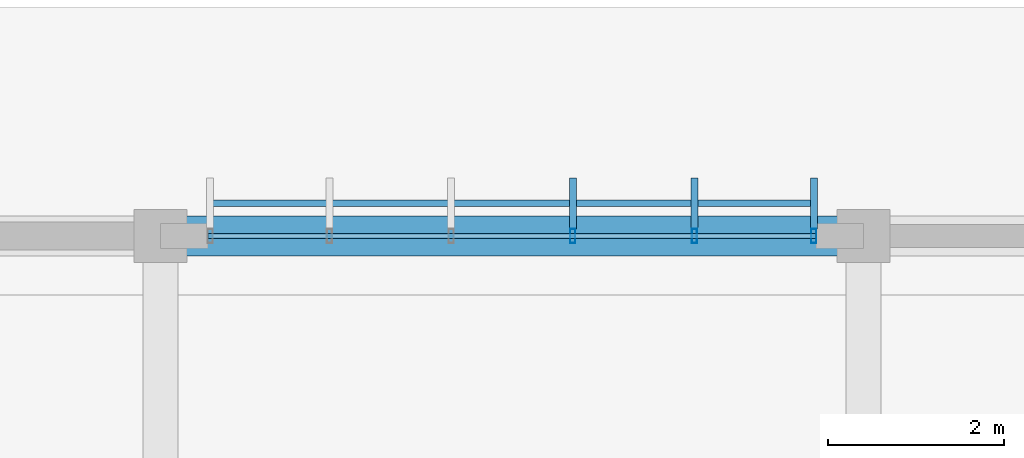
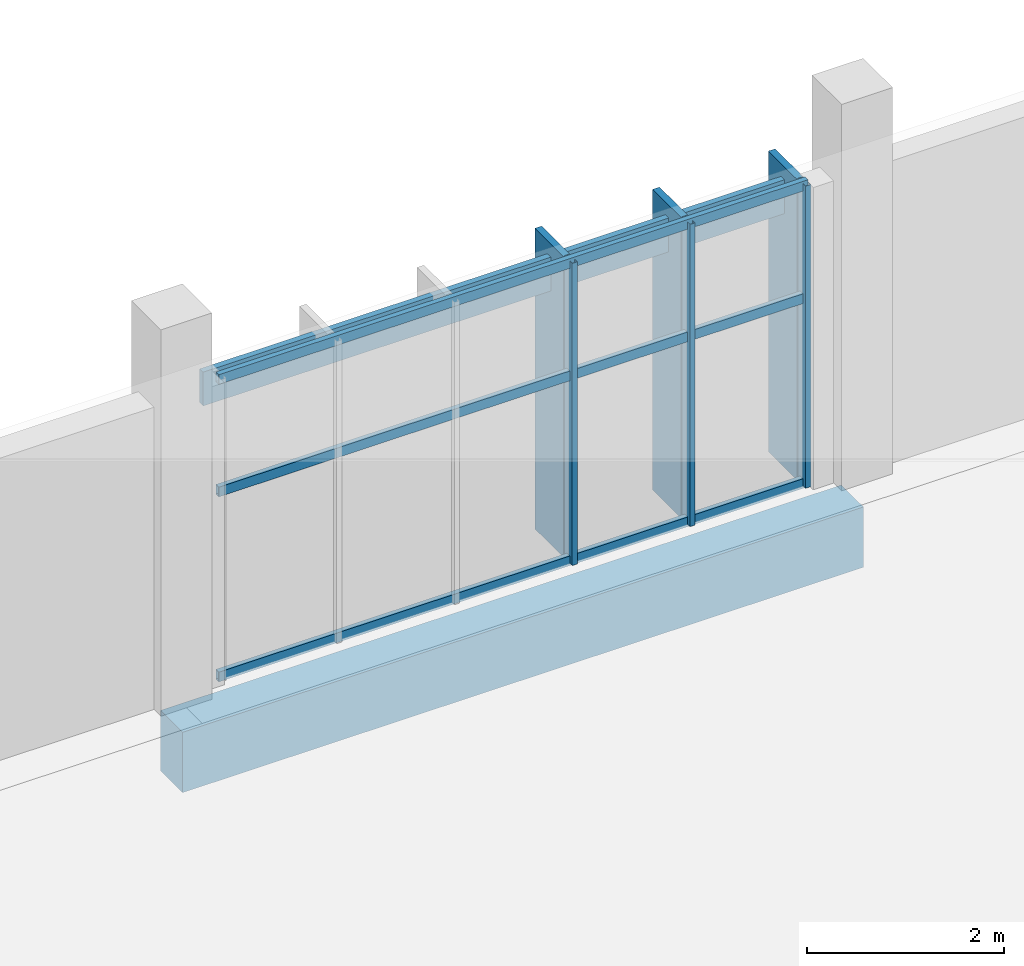
# One storey, part 94 of 151: 10 members, 1 beam, 1 element without a shape of its own.
"""IFC4 building model written with IfcOpenShell, lengths in metres."""

from ifc_helpers import new_model, si_unit, direction, frame, origin, origin_2d, place, context, subcontext, project, spatial, rectangle, hollow_rectangle, extrude, material, material_profile, profile_set, type_object, element, aggregate, save


model = new_model("IFC4")

# Units and contexts
model_context = context("Model", 3, precision=1e-05, world=origin(), true_north=direction((0.0, 1.0)))
body_context = subcontext(model_context, "Body", "Model", "MODEL_VIEW")
ifc_project = project(units=[si_unit("LENGTHUNIT", "METRE"), si_unit("AREAUNIT", "SQUARE_METRE"), si_unit("VOLUMEUNIT", "CUBIC_METRE"), si_unit("PLANEANGLEUNIT", "RADIAN"), si_unit("MASSUNIT", "GRAM", prefix="KILO")], contexts=[model_context])

# Site, building, storey
site_placement = place(None, origin())
site = spatial("IfcSite", under=ifc_project, at=site_placement, CompositionType="ELEMENT")
building_placement = place(site_placement, origin())
building = spatial("IfcBuilding", under=site, at=building_placement, Name="Chiffa Square Polytechnic", CompositionType="ELEMENT")
storey_placement = place(building_placement, origin())
storey = spatial("IfcBuildingStorey", under=building, at=storey_placement, Name="L00", CompositionType="ELEMENT", Elevation=0.0)

# Beam
ifc_material_1 = material(Name="Concrete C35/45", Category="concrete")
ifc_material_profile_1 = material_profile(ifc_material_1, rectangle(XDim=0.449951171875, YDim=0.75, at=origin_2d()), Name="RC 450x750")
ifc_profile_set_1 = profile_set([ifc_material_profile_1], Name="Concrete C35/45")
beam_type = type_object("IfcBeamType", Name="BM-RC-450X750", PredefinedType="BEAM", material=ifc_profile_set_1)
beam_placement = place(storey_placement, frame((24.0, 130.800048828125, -0.72509765625), z_axis=(1.0, 0.0, 0.0), x_axis=(0.0, 1.0, 0.0)))
element("IfcBeam", 1, at=beam_placement, inside=storey, type_object=beam_type, Name="Primary floor girder BM-V5-L00-X-0240-1308", PredefinedType="BEAM", context=body_context, shape_type="SweptSolid", body=[
    extrude(rectangle(XDim=0.449951171875, YDim=0.75, at=origin_2d()), origin(), (0.0, 0.0, 1.0), 8.0),
])

# Curtain wall, members
ifc_material_2 = material(Name="Aluminium EN AW-6060 T66 and glulam shading", Category="wood")
curtain_wall_type = type_object("IfcCurtainWallType", Name="CW-VERT-600X380", PredefinedType="USERDEFINED", material=ifc_material_2)
curtain_wall_placement = place(storey_placement, origin())
curtain_wall = element("IfcCurtainWall", 2, at=curtain_wall_placement, inside=storey, type_object=curtain_wall_type, Name="Curtain wall CW-V5-L00-196", ObjectType="CURTAIN WALL", PredefinedType="USERDEFINED")
ifc_material_3 = material(Name="Aluminium EN AW-6060 T66", Category="aluminium")
ifc_material_profile_2 = material_profile(ifc_material_3, hollow_rectangle(XDim=0.06005859375, YDim=0.159912109375, WallThickness=0.00390625, at=origin_2d()), Name="ALU 60x160x4")
ifc_profile_set_2 = profile_set([ifc_material_profile_2], Name="Aluminium EN AW-6060 T66")
member_type_1 = type_object("IfcMemberType", Name="CWM-ALU-65X150", PredefinedType="MULLION", material=ifc_profile_set_2)
member_1_placement = place(storey_placement, frame((31.43505859375, 130.800048828125, 0.0), z_axis=(0.0, 0.0, 1.0), x_axis=(1.0, 0.0, 0.0)))
member_1 = element("IfcMember", 3, at=member_1_placement, type_object=member_type_1, Name="Curtain wall mullion CW-V5-L00-196-M00", PredefinedType="MULLION", context=body_context, shape_type="SweptSolid", body=[
    extrude(hollow_rectangle(XDim=0.06005859375, YDim=0.159912109375, WallThickness=0.00390625, at=origin_2d()), origin(), (0.0, 0.0, 1.0), 3.7548828125),
])
member_2_placement = place(storey_placement, frame((30.075927734375, 130.800048828125, 0.0), z_axis=(0.0, 0.0, 1.0), x_axis=(1.0, 0.0, 0.0)))
member_2 = element("IfcMember", 4, at=member_2_placement, type_object=member_type_1, Name="Curtain wall mullion CW-V5-L00-196-M01", PredefinedType="MULLION", context=body_context, shape_type="SweptSolid", body=[
    extrude(hollow_rectangle(XDim=0.06005859375, YDim=0.159912109375, WallThickness=0.00390625, at=origin_2d()), origin(), (0.0, 0.0, 1.0), 3.7548828125),
])
member_3_placement = place(storey_placement, frame((28.69189453125, 130.800048828125, 0.0), z_axis=(0.0, 0.0, 1.0), x_axis=(1.0, 0.0, 0.0)))
member_3 = element("IfcMember", 5, at=member_3_placement, type_object=member_type_1, Name="Curtain wall mullion CW-V5-L00-196-M02", PredefinedType="MULLION", context=body_context, shape_type="SweptSolid", body=[
    extrude(hollow_rectangle(XDim=0.06005859375, YDim=0.159912109375, WallThickness=0.00390625, at=origin_2d()), origin(), (0.0, 0.0, 1.0), 3.7548828125),
])
ifc_material_4 = material(Name="Glulam GL28h", Category="wood")
ifc_material_profile_3 = material_profile(ifc_material_4, rectangle(XDim=0.080078125, YDim=0.580078125, at=origin_2d()), Name="GL28h 80x580")
ifc_profile_set_3 = profile_set([ifc_material_profile_3], Name="Glulam GL28h")
member_type_2 = type_object("IfcMemberType", Name="CWM-GL-80X580", PredefinedType="MULLION", material=ifc_profile_set_3)
member_4_placement = place(storey_placement, frame((31.43505859375, 131.172119140625, 0.010009765625), z_axis=(0.0, 0.0, 1.0), x_axis=(-1.0, 0.0, 0.0)))
member_4 = element("IfcMember", 6, at=member_4_placement, type_object=member_type_2, Name="Exterior glulam solar fin CW-V5-L00-196-FN00", PredefinedType="MULLION", context=body_context, shape_type="SweptSolid", body=[
    extrude(rectangle(XDim=0.080078125, YDim=0.580078125, at=origin_2d()), origin(), (0.0, 0.0, 1.0), 3.735107421875),
])
member_5_placement = place(storey_placement, frame((30.075927734375, 131.172119140625, 0.010009765625), z_axis=(0.0, 0.0, 1.0), x_axis=(-1.0, 0.0, 0.0)))
member_5 = element("IfcMember", 7, at=member_5_placement, type_object=member_type_2, Name="Exterior glulam solar fin CW-V5-L00-196-FN01", PredefinedType="MULLION", context=body_context, shape_type="SweptSolid", body=[
    extrude(rectangle(XDim=0.080078125, YDim=0.580078125, at=origin_2d()), origin(), (0.0, 0.0, 1.0), 3.735107421875),
])
member_6_placement = place(storey_placement, frame((28.69189453125, 131.172119140625, 0.010009765625), z_axis=(0.0, 0.0, 1.0), x_axis=(-1.0, 0.0, 0.0)))
member_6 = element("IfcMember", 8, at=member_6_placement, type_object=member_type_2, Name="Exterior glulam solar fin CW-V5-L00-196-FN02", PredefinedType="MULLION", context=body_context, shape_type="SweptSolid", body=[
    extrude(rectangle(XDim=0.080078125, YDim=0.580078125, at=origin_2d()), origin(), (0.0, 0.0, 1.0), 3.735107421875),
])
ifc_material_profile_4 = material_profile(ifc_material_3, hollow_rectangle(XDim=0.06005859375, YDim=0.1201171875, WallThickness=0.00390625, at=origin_2d()), Name="ALU 60x120x4")
ifc_profile_set_4 = profile_set([ifc_material_profile_4], Name="Aluminium EN AW-6060 T66")
member_type_3 = type_object("IfcMemberType", Name="CWT-ALU-65X120", PredefinedType="USERDEFINED", material=ifc_profile_set_4)
member_7_placement = place(storey_placement, frame((31.4619140625, 130.800048828125, 0.030029296875), z_axis=(-1.0, 0.0, 0.0), x_axis=(0.0, -1.0, 0.0)))
member_7 = element("IfcMember", 9, at=member_7_placement, type_object=member_type_3, Name="Curtain wall transom CW-V5-L00-196-T01", ObjectType="TRANSOM", PredefinedType="USERDEFINED", context=body_context, shape_type="SweptSolid", body=[
    extrude(hollow_rectangle(XDim=0.06005859375, YDim=0.1201171875, WallThickness=0.00390625, at=origin_2d()), origin(), (0.0, 0.0, 1.0), 6.923828125),
])
member_8_placement = place(storey_placement, frame((31.4619140625, 130.800048828125, 2.327880859375), z_axis=(-1.0, 0.0, 0.0), x_axis=(0.0, -1.0, 0.0)))
member_8 = element("IfcMember", 10, at=member_8_placement, type_object=member_type_3, Name="Curtain wall transom CW-V5-L00-196-T02", ObjectType="TRANSOM", PredefinedType="USERDEFINED", context=body_context, shape_type="SweptSolid", body=[
    extrude(hollow_rectangle(XDim=0.06005859375, YDim=0.1201171875, WallThickness=0.00390625, at=origin_2d()), origin(), (0.0, 0.0, 1.0), 6.923828125),
])
member_9_placement = place(storey_placement, frame((31.4619140625, 130.800048828125, 3.72509765625), z_axis=(-1.0, 0.0, 0.0), x_axis=(0.0, -1.0, 0.0)))
member_9 = element("IfcMember", 11, at=member_9_placement, type_object=member_type_3, Name="Curtain wall transom CW-V5-L00-196-T03", ObjectType="TRANSOM", PredefinedType="USERDEFINED", context=body_context, shape_type="SweptSolid", body=[
    extrude(hollow_rectangle(XDim=0.06005859375, YDim=0.1201171875, WallThickness=0.00390625, at=origin_2d()), origin(), (0.0, 0.0, 1.0), 6.923828125),
])
ifc_material_profile_5 = material_profile(ifc_material_4, rectangle(XDim=0.070068359375, YDim=0.419921875, at=origin_2d()), Name="GL28h 70x420")
ifc_profile_set_5 = profile_set([ifc_material_profile_5], Name="Glulam GL28h")
member_type_4 = type_object("IfcMemberType", Name="CWT-GL-70X420", PredefinedType="USERDEFINED", material=ifc_profile_set_5)
member_10_placement = place(storey_placement, frame((31.43505859375, 131.172119140625, 3.375), z_axis=(-1.0, 0.0, 0.0), x_axis=(0.0, -1.0, 0.0)))
member_10 = element("IfcMember", 12, at=member_10_placement, type_object=member_type_4, Name="Exterior glulam brise-soleil CW-V5-L00-196-BS01", ObjectType="TRANSOM", PredefinedType="USERDEFINED", context=body_context, shape_type="SweptSolid", body=[
    extrude(rectangle(XDim=0.070068359375, YDim=0.419921875, at=origin_2d()), origin(), (0.0, 0.0, 1.0), 6.8701171875),
])
aggregate(curtain_wall, [member_1, member_4, member_2, member_5, member_3, member_6, member_7, member_8, member_9, member_10])

save(model, "model.ifc")
